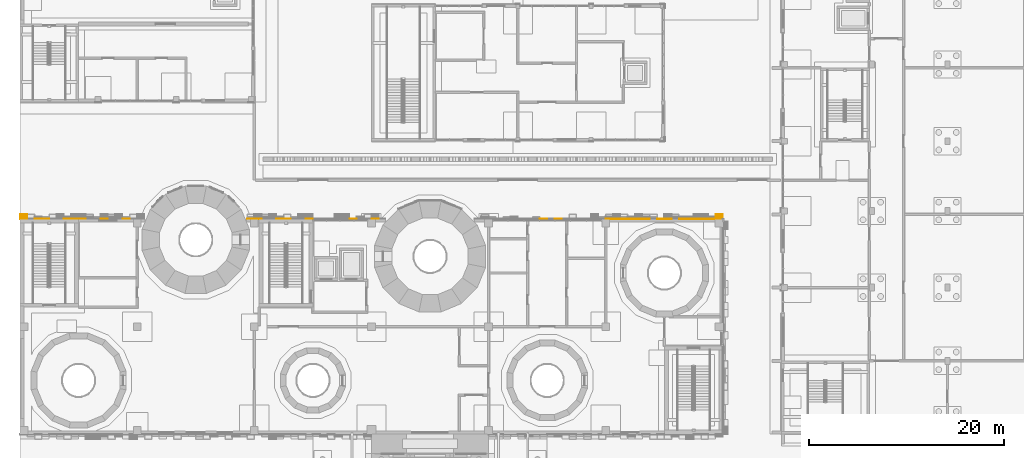
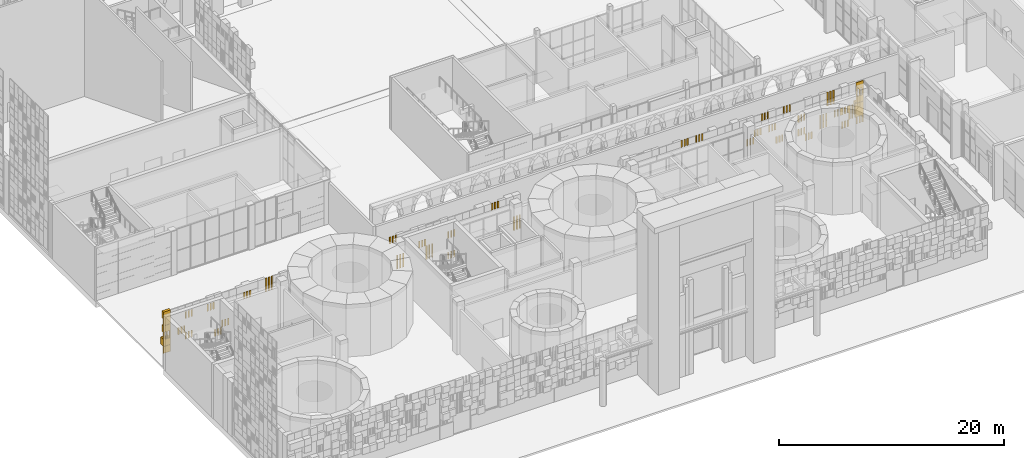
# One storey, part 83 of 125: 1 covering.
"""IFC4 building model written with IfcOpenShell, lengths in metres."""

from ifc_helpers import new_model, si_unit, direction, frame, origin, origin_2d, place, context, subcontext, project, spatial, rectangle, extrude, material, layer, layer_set, type_object, element, save


model = new_model("IFC4")

# Units and contexts
model_context = context("Model", 3, precision=1e-05, world=origin(), true_north=direction((0.0, 1.0)))
body_context = subcontext(model_context, "Body", "Model", "MODEL_VIEW")
ifc_project = project(units=[si_unit("LENGTHUNIT", "METRE"), si_unit("AREAUNIT", "SQUARE_METRE"), si_unit("VOLUMEUNIT", "CUBIC_METRE"), si_unit("PLANEANGLEUNIT", "RADIAN"), si_unit("MASSUNIT", "GRAM", prefix="KILO")], contexts=[model_context])

# Site, building, storey
site_placement = place(None, origin())
site = spatial("IfcSite", under=ifc_project, at=site_placement, CompositionType="ELEMENT")
building_placement = place(site_placement, origin())
building = spatial("IfcBuilding", under=site, at=building_placement, Name="Sun Court Science Centre", CompositionType="ELEMENT")
storey_placement = place(building_placement, origin())
storey = spatial("IfcBuildingStorey", under=building, at=storey_placement, Name="L00", CompositionType="ELEMENT", Elevation=0.0)

# Covering
ifc_material = material(Name="Terracotta jali", Category="masonry")
ifc_layer = layer(ifc_material, 0.06005859375)
ifc_layer_set = layer_set([ifc_layer], Name="Terracotta jali")
covering_type = type_object("IfcCoveringType", Name="Terracotta open jali panel", PredefinedType="CLADDING", material=ifc_layer_set)
covering_placement = place(storey_placement, origin())
element("IfcCovering", 1, at=covering_placement, inside=storey, type_object=covering_type, Name="Open jali pixel cladding north face L00", PredefinedType="CLADDING", context=body_context, shape_type="SweptSolid", body=[
    extrude(rectangle(XDim=0.139892578125, YDim=0.06005859375, at=origin_2d()), frame((5.324951171875, 28.030029296875, 1.5048828125), z_axis=(0.0, 0.0, 1.0), x_axis=(1.0, 0.0, 0.0)), (0.0, 0.0, 1.0), 0.739990234375),
    extrude(rectangle(XDim=0.139892578125, YDim=0.06005859375, at=origin_2d()), frame((5.625, 28.030029296875, 1.5048828125), z_axis=(0.0, 0.0, 1.0), x_axis=(1.0, 0.0, 0.0)), (0.0, 0.0, 1.0), 0.739990234375),
    extrude(rectangle(XDim=0.139892578125, YDim=0.06005859375, at=origin_2d()), frame((5.925048828125, 28.030029296875, 1.5048828125), z_axis=(0.0, 0.0, 1.0), x_axis=(1.0, 0.0, 0.0)), (0.0, 0.0, 1.0), 0.739990234375),
    extrude(rectangle(XDim=0.139892578125, YDim=0.06005859375, at=origin_2d()), frame((29.324951171875, 28.030029296875, 1.5048828125), z_axis=(0.0, 0.0, 1.0), x_axis=(1.0, 0.0, 0.0)), (0.0, 0.0, 1.0), 0.739990234375),
    extrude(rectangle(XDim=0.139892578125, YDim=0.06005859375, at=origin_2d()), frame((29.625, 28.030029296875, 1.5048828125), z_axis=(0.0, 0.0, 1.0), x_axis=(1.0, 0.0, 0.0)), (0.0, 0.0, 1.0), 0.739990234375),
    extrude(rectangle(XDim=0.139892578125, YDim=0.06005859375, at=origin_2d()), frame((29.925048828125, 28.030029296875, 1.5048828125), z_axis=(0.0, 0.0, 1.0), x_axis=(1.0, 0.0, 0.0)), (0.0, 0.0, 1.0), 0.739990234375),
    extrude(rectangle(XDim=0.139892578125, YDim=0.06005859375, at=origin_2d()), frame((66.074951171875, 28.030029296875, 1.5048828125), z_axis=(0.0, 0.0, 1.0), x_axis=(1.0, 0.0, 0.0)), (0.0, 0.0, 1.0), 0.739990234375),
    extrude(rectangle(XDim=0.139892578125, YDim=0.06005859375, at=origin_2d()), frame((66.375, 28.030029296875, 1.5048828125), z_axis=(0.0, 0.0, 1.0), x_axis=(1.0, 0.0, 0.0)), (0.0, 0.0, 1.0), 0.739990234375),
    extrude(rectangle(XDim=0.139892578125, YDim=0.06005859375, at=origin_2d()), frame((66.675048828125, 28.030029296875, 1.5048828125), z_axis=(0.0, 0.0, 1.0), x_axis=(1.0, 0.0, 0.0)), (0.0, 0.0, 1.0), 0.739990234375),
    extrude(rectangle(XDim=0.139892578125, YDim=0.06005859375, at=origin_2d()), frame((69.824951171875, 28.030029296875, 1.5048828125), z_axis=(0.0, 0.0, 1.0), x_axis=(1.0, 0.0, 0.0)), (0.0, 0.0, 1.0), 0.739990234375),
    extrude(rectangle(XDim=0.139892578125, YDim=0.06005859375, at=origin_2d()), frame((70.125, 28.030029296875, 1.5048828125), z_axis=(0.0, 0.0, 1.0), x_axis=(1.0, 0.0, 0.0)), (0.0, 0.0, 1.0), 0.739990234375),
    extrude(rectangle(XDim=0.139892578125, YDim=0.06005859375, at=origin_2d()), frame((70.425048828125, 28.030029296875, 1.5048828125), z_axis=(0.0, 0.0, 1.0), x_axis=(1.0, 0.0, 0.0)), (0.0, 0.0, 1.0), 0.739990234375),
    extrude(rectangle(XDim=0.139892578125, YDim=0.06005859375, at=origin_2d()), frame((71.324951171875, 28.030029296875, 1.5048828125), z_axis=(0.0, 0.0, 1.0), x_axis=(1.0, 0.0, 0.0)), (0.0, 0.0, 1.0), 0.739990234375),
    extrude(rectangle(XDim=0.139892578125, YDim=0.06005859375, at=origin_2d()), frame((71.625, 28.030029296875, 1.5048828125), z_axis=(0.0, 0.0, 1.0), x_axis=(1.0, 0.0, 0.0)), (0.0, 0.0, 1.0), 0.739990234375),
    extrude(rectangle(XDim=0.139892578125, YDim=0.06005859375, at=origin_2d()), frame((71.925048828125, 28.030029296875, 1.5048828125), z_axis=(0.0, 0.0, 1.0), x_axis=(1.0, 0.0, 0.0)), (0.0, 0.0, 1.0), 0.739990234375),
    extrude(rectangle(XDim=0.139892578125, YDim=0.06005859375, at=origin_2d()), frame((2.324951171875, 28.030029296875, 2.2548828125), z_axis=(0.0, 0.0, 1.0), x_axis=(1.0, 0.0, 0.0)), (0.0, 0.0, 1.0), 0.739990234375),
    extrude(rectangle(XDim=0.139892578125, YDim=0.06005859375, at=origin_2d()), frame((2.625, 28.030029296875, 2.2548828125), z_axis=(0.0, 0.0, 1.0), x_axis=(1.0, 0.0, 0.0)), (0.0, 0.0, 1.0), 0.739990234375),
    extrude(rectangle(XDim=0.139892578125, YDim=0.06005859375, at=origin_2d()), frame((2.925048828125, 28.030029296875, 2.2548828125), z_axis=(0.0, 0.0, 1.0), x_axis=(1.0, 0.0, 0.0)), (0.0, 0.0, 1.0), 0.739990234375),
    extrude(rectangle(XDim=0.139892578125, YDim=0.06005859375, at=origin_2d()), frame((6.074951171875, 28.030029296875, 2.2548828125), z_axis=(0.0, 0.0, 1.0), x_axis=(1.0, 0.0, 0.0)), (0.0, 0.0, 1.0), 0.739990234375),
    extrude(rectangle(XDim=0.139892578125, YDim=0.06005859375, at=origin_2d()), frame((6.375, 28.030029296875, 2.2548828125), z_axis=(0.0, 0.0, 1.0), x_axis=(1.0, 0.0, 0.0)), (0.0, 0.0, 1.0), 0.739990234375),
    extrude(rectangle(XDim=0.139892578125, YDim=0.06005859375, at=origin_2d()), frame((6.675048828125, 28.030029296875, 2.2548828125), z_axis=(0.0, 0.0, 1.0), x_axis=(1.0, 0.0, 0.0)), (0.0, 0.0, 1.0), 0.739990234375),
    extrude(rectangle(XDim=0.139892578125, YDim=0.06005859375, at=origin_2d()), frame((24.074951171875, 28.030029296875, 2.2548828125), z_axis=(0.0, 0.0, 1.0), x_axis=(1.0, 0.0, 0.0)), (0.0, 0.0, 1.0), 0.739990234375),
    extrude(rectangle(XDim=0.139892578125, YDim=0.06005859375, at=origin_2d()), frame((24.375, 28.030029296875, 2.2548828125), z_axis=(0.0, 0.0, 1.0), x_axis=(1.0, 0.0, 0.0)), (0.0, 0.0, 1.0), 0.739990234375),
    extrude(rectangle(XDim=0.139892578125, YDim=0.06005859375, at=origin_2d()), frame((24.675048828125, 28.030029296875, 2.2548828125), z_axis=(0.0, 0.0, 1.0), x_axis=(1.0, 0.0, 0.0)), (0.0, 0.0, 1.0), 0.739990234375),
    extrude(rectangle(XDim=0.139892578125, YDim=0.06005859375, at=origin_2d()), frame((27.074951171875, 28.030029296875, 2.2548828125), z_axis=(0.0, 0.0, 1.0), x_axis=(1.0, 0.0, 0.0)), (0.0, 0.0, 1.0), 0.739990234375),
    extrude(rectangle(XDim=0.139892578125, YDim=0.06005859375, at=origin_2d()), frame((27.375, 28.030029296875, 2.2548828125), z_axis=(0.0, 0.0, 1.0), x_axis=(1.0, 0.0, 0.0)), (0.0, 0.0, 1.0), 0.739990234375),
    extrude(rectangle(XDim=0.139892578125, YDim=0.06005859375, at=origin_2d()), frame((27.675048828125, 28.030029296875, 2.2548828125), z_axis=(0.0, 0.0, 1.0), x_axis=(1.0, 0.0, 0.0)), (0.0, 0.0, 1.0), 0.739990234375),
    extrude(rectangle(XDim=0.139892578125, YDim=0.06005859375, at=origin_2d()), frame((36.074951171875, 28.030029296875, 2.2548828125), z_axis=(0.0, 0.0, 1.0), x_axis=(1.0, 0.0, 0.0)), (0.0, 0.0, 1.0), 0.739990234375),
    extrude(rectangle(XDim=0.139892578125, YDim=0.06005859375, at=origin_2d()), frame((36.375, 28.030029296875, 2.2548828125), z_axis=(0.0, 0.0, 1.0), x_axis=(1.0, 0.0, 0.0)), (0.0, 0.0, 1.0), 0.739990234375),
    extrude(rectangle(XDim=0.139892578125, YDim=0.06005859375, at=origin_2d()), frame((36.675048828125, 28.030029296875, 2.2548828125), z_axis=(0.0, 0.0, 1.0), x_axis=(1.0, 0.0, 0.0)), (0.0, 0.0, 1.0), 0.739990234375),
    extrude(rectangle(XDim=0.139892578125, YDim=0.06005859375, at=origin_2d()), frame((63.074951171875, 28.030029296875, 2.2548828125), z_axis=(0.0, 0.0, 1.0), x_axis=(1.0, 0.0, 0.0)), (0.0, 0.0, 1.0), 0.739990234375),
    extrude(rectangle(XDim=0.139892578125, YDim=0.06005859375, at=origin_2d()), frame((63.375, 28.030029296875, 2.2548828125), z_axis=(0.0, 0.0, 1.0), x_axis=(1.0, 0.0, 0.0)), (0.0, 0.0, 1.0), 0.739990234375),
    extrude(rectangle(XDim=0.139892578125, YDim=0.06005859375, at=origin_2d()), frame((63.675048828125, 28.030029296875, 2.2548828125), z_axis=(0.0, 0.0, 1.0), x_axis=(1.0, 0.0, 0.0)), (0.0, 0.0, 1.0), 0.739990234375),
    extrude(rectangle(XDim=0.139892578125, YDim=0.06005859375, at=origin_2d()), frame((65.324951171875, 28.030029296875, 2.2548828125), z_axis=(0.0, 0.0, 1.0), x_axis=(1.0, 0.0, 0.0)), (0.0, 0.0, 1.0), 0.739990234375),
    extrude(rectangle(XDim=0.139892578125, YDim=0.06005859375, at=origin_2d()), frame((65.625, 28.030029296875, 2.2548828125), z_axis=(0.0, 0.0, 1.0), x_axis=(1.0, 0.0, 0.0)), (0.0, 0.0, 1.0), 0.739990234375),
    extrude(rectangle(XDim=0.139892578125, YDim=0.06005859375, at=origin_2d()), frame((65.925048828125, 28.030029296875, 2.2548828125), z_axis=(0.0, 0.0, 1.0), x_axis=(1.0, 0.0, 0.0)), (0.0, 0.0, 1.0), 0.739990234375),
    extrude(rectangle(XDim=0.139892578125, YDim=0.06005859375, at=origin_2d()), frame((67.574951171875, 28.030029296875, 2.2548828125), z_axis=(0.0, 0.0, 1.0), x_axis=(1.0, 0.0, 0.0)), (0.0, 0.0, 1.0), 0.739990234375),
    extrude(rectangle(XDim=0.139892578125, YDim=0.06005859375, at=origin_2d()), frame((67.875, 28.030029296875, 2.2548828125), z_axis=(0.0, 0.0, 1.0), x_axis=(1.0, 0.0, 0.0)), (0.0, 0.0, 1.0), 0.739990234375),
    extrude(rectangle(XDim=0.139892578125, YDim=0.06005859375, at=origin_2d()), frame((68.175048828125, 28.030029296875, 2.2548828125), z_axis=(0.0, 0.0, 1.0), x_axis=(1.0, 0.0, 0.0)), (0.0, 0.0, 1.0), 0.739990234375),
    extrude(rectangle(XDim=0.139892578125, YDim=0.06005859375, at=origin_2d()), frame((70.574951171875, 28.030029296875, 2.2548828125), z_axis=(0.0, 0.0, 1.0), x_axis=(1.0, 0.0, 0.0)), (0.0, 0.0, 1.0), 0.739990234375),
    extrude(rectangle(XDim=0.139892578125, YDim=0.06005859375, at=origin_2d()), frame((70.875, 28.030029296875, 2.2548828125), z_axis=(0.0, 0.0, 1.0), x_axis=(1.0, 0.0, 0.0)), (0.0, 0.0, 1.0), 0.739990234375),
    extrude(rectangle(XDim=0.139892578125, YDim=0.06005859375, at=origin_2d()), frame((71.175048828125, 28.030029296875, 2.2548828125), z_axis=(0.0, 0.0, 1.0), x_axis=(1.0, 0.0, 0.0)), (0.0, 0.0, 1.0), 0.739990234375),
    extrude(rectangle(XDim=0.139892578125, YDim=0.06005859375, at=origin_2d()), frame((0.074951171875, 28.030029296875, 3.0048828125), z_axis=(0.0, 0.0, 1.0), x_axis=(1.0, 0.0, 0.0)), (0.0, 0.0, 1.0), 0.739990234375),
    extrude(rectangle(XDim=0.139892578125, YDim=0.06005859375, at=origin_2d()), frame((0.375, 28.030029296875, 3.0048828125), z_axis=(0.0, 0.0, 1.0), x_axis=(1.0, 0.0, 0.0)), (0.0, 0.0, 1.0), 0.739990234375),
    extrude(rectangle(XDim=0.139892578125, YDim=0.06005859375, at=origin_2d()), frame((0.675048828125, 28.030029296875, 3.0048828125), z_axis=(0.0, 0.0, 1.0), x_axis=(1.0, 0.0, 0.0)), (0.0, 0.0, 1.0), 0.739990234375),
    extrude(rectangle(XDim=0.139892578125, YDim=0.06005859375, at=origin_2d()), frame((1.574951171875, 28.030029296875, 3.0048828125), z_axis=(0.0, 0.0, 1.0), x_axis=(1.0, 0.0, 0.0)), (0.0, 0.0, 1.0), 0.739990234375),
    extrude(rectangle(XDim=0.139892578125, YDim=0.06005859375, at=origin_2d()), frame((1.875, 28.030029296875, 3.0048828125), z_axis=(0.0, 0.0, 1.0), x_axis=(1.0, 0.0, 0.0)), (0.0, 0.0, 1.0), 0.739990234375),
    extrude(rectangle(XDim=0.139892578125, YDim=0.06005859375, at=origin_2d()), frame((2.175048828125, 28.030029296875, 3.0048828125), z_axis=(0.0, 0.0, 1.0), x_axis=(1.0, 0.0, 0.0)), (0.0, 0.0, 1.0), 0.739990234375),
    extrude(rectangle(XDim=0.139892578125, YDim=0.06005859375, at=origin_2d()), frame((24.074951171875, 28.030029296875, 3.0048828125), z_axis=(0.0, 0.0, 1.0), x_axis=(1.0, 0.0, 0.0)), (0.0, 0.0, 1.0), 0.739990234375),
    extrude(rectangle(XDim=0.139892578125, YDim=0.06005859375, at=origin_2d()), frame((24.375, 28.030029296875, 3.0048828125), z_axis=(0.0, 0.0, 1.0), x_axis=(1.0, 0.0, 0.0)), (0.0, 0.0, 1.0), 0.739990234375),
    extrude(rectangle(XDim=0.139892578125, YDim=0.06005859375, at=origin_2d()), frame((24.675048828125, 28.030029296875, 3.0048828125), z_axis=(0.0, 0.0, 1.0), x_axis=(1.0, 0.0, 0.0)), (0.0, 0.0, 1.0), 0.739990234375),
    extrude(rectangle(XDim=0.139892578125, YDim=0.06005859375, at=origin_2d()), frame((27.074951171875, 28.030029296875, 3.0048828125), z_axis=(0.0, 0.0, 1.0), x_axis=(1.0, 0.0, 0.0)), (0.0, 0.0, 1.0), 0.739990234375),
    extrude(rectangle(XDim=0.139892578125, YDim=0.06005859375, at=origin_2d()), frame((27.375, 28.030029296875, 3.0048828125), z_axis=(0.0, 0.0, 1.0), x_axis=(1.0, 0.0, 0.0)), (0.0, 0.0, 1.0), 0.739990234375),
    extrude(rectangle(XDim=0.139892578125, YDim=0.06005859375, at=origin_2d()), frame((27.675048828125, 28.030029296875, 3.0048828125), z_axis=(0.0, 0.0, 1.0), x_axis=(1.0, 0.0, 0.0)), (0.0, 0.0, 1.0), 0.739990234375),
    extrude(rectangle(XDim=0.139892578125, YDim=0.06005859375, at=origin_2d()), frame((36.074951171875, 28.030029296875, 3.0048828125), z_axis=(0.0, 0.0, 1.0), x_axis=(1.0, 0.0, 0.0)), (0.0, 0.0, 1.0), 0.739990234375),
    extrude(rectangle(XDim=0.139892578125, YDim=0.06005859375, at=origin_2d()), frame((36.375, 28.030029296875, 3.0048828125), z_axis=(0.0, 0.0, 1.0), x_axis=(1.0, 0.0, 0.0)), (0.0, 0.0, 1.0), 0.739990234375),
    extrude(rectangle(XDim=0.139892578125, YDim=0.06005859375, at=origin_2d()), frame((36.675048828125, 28.030029296875, 3.0048828125), z_axis=(0.0, 0.0, 1.0), x_axis=(1.0, 0.0, 0.0)), (0.0, 0.0, 1.0), 0.739990234375),
    extrude(rectangle(XDim=0.139892578125, YDim=0.06005859375, at=origin_2d()), frame((60.074951171875, 28.030029296875, 3.0048828125), z_axis=(0.0, 0.0, 1.0), x_axis=(1.0, 0.0, 0.0)), (0.0, 0.0, 1.0), 0.739990234375),
    extrude(rectangle(XDim=0.139892578125, YDim=0.06005859375, at=origin_2d()), frame((60.375, 28.030029296875, 3.0048828125), z_axis=(0.0, 0.0, 1.0), x_axis=(1.0, 0.0, 0.0)), (0.0, 0.0, 1.0), 0.739990234375),
    extrude(rectangle(XDim=0.139892578125, YDim=0.06005859375, at=origin_2d()), frame((60.675048828125, 28.030029296875, 3.0048828125), z_axis=(0.0, 0.0, 1.0), x_axis=(1.0, 0.0, 0.0)), (0.0, 0.0, 1.0), 0.739990234375),
    extrude(rectangle(XDim=0.139892578125, YDim=0.06005859375, at=origin_2d()), frame((67.574951171875, 28.030029296875, 3.0048828125), z_axis=(0.0, 0.0, 1.0), x_axis=(1.0, 0.0, 0.0)), (0.0, 0.0, 1.0), 0.739990234375),
    extrude(rectangle(XDim=0.139892578125, YDim=0.06005859375, at=origin_2d()), frame((67.875, 28.030029296875, 3.0048828125), z_axis=(0.0, 0.0, 1.0), x_axis=(1.0, 0.0, 0.0)), (0.0, 0.0, 1.0), 0.739990234375),
    extrude(rectangle(XDim=0.139892578125, YDim=0.06005859375, at=origin_2d()), frame((68.175048828125, 28.030029296875, 3.0048828125), z_axis=(0.0, 0.0, 1.0), x_axis=(1.0, 0.0, 0.0)), (0.0, 0.0, 1.0), 0.739990234375),
    extrude(rectangle(XDim=0.139892578125, YDim=0.06005859375, at=origin_2d()), frame((69.074951171875, 28.030029296875, 3.0048828125), z_axis=(0.0, 0.0, 1.0), x_axis=(1.0, 0.0, 0.0)), (0.0, 0.0, 1.0), 0.739990234375),
    extrude(rectangle(XDim=0.139892578125, YDim=0.06005859375, at=origin_2d()), frame((69.375, 28.030029296875, 3.0048828125), z_axis=(0.0, 0.0, 1.0), x_axis=(1.0, 0.0, 0.0)), (0.0, 0.0, 1.0), 0.739990234375),
    extrude(rectangle(XDim=0.139892578125, YDim=0.06005859375, at=origin_2d()), frame((69.675048828125, 28.030029296875, 3.0048828125), z_axis=(0.0, 0.0, 1.0), x_axis=(1.0, 0.0, 0.0)), (0.0, 0.0, 1.0), 0.739990234375),
    extrude(rectangle(XDim=0.139892578125, YDim=0.06005859375, at=origin_2d()), frame((69.824951171875, 28.030029296875, 3.0048828125), z_axis=(0.0, 0.0, 1.0), x_axis=(1.0, 0.0, 0.0)), (0.0, 0.0, 1.0), 0.739990234375),
    extrude(rectangle(XDim=0.139892578125, YDim=0.06005859375, at=origin_2d()), frame((70.125, 28.030029296875, 3.0048828125), z_axis=(0.0, 0.0, 1.0), x_axis=(1.0, 0.0, 0.0)), (0.0, 0.0, 1.0), 0.739990234375),
    extrude(rectangle(XDim=0.139892578125, YDim=0.06005859375, at=origin_2d()), frame((70.425048828125, 28.030029296875, 3.0048828125), z_axis=(0.0, 0.0, 1.0), x_axis=(1.0, 0.0, 0.0)), (0.0, 0.0, 1.0), 0.739990234375),
    extrude(rectangle(XDim=0.139892578125, YDim=0.06005859375, at=origin_2d()), frame((70.574951171875, 28.030029296875, 3.0048828125), z_axis=(0.0, 0.0, 1.0), x_axis=(1.0, 0.0, 0.0)), (0.0, 0.0, 1.0), 0.739990234375),
    extrude(rectangle(XDim=0.139892578125, YDim=0.06005859375, at=origin_2d()), frame((70.875, 28.030029296875, 3.0048828125), z_axis=(0.0, 0.0, 1.0), x_axis=(1.0, 0.0, 0.0)), (0.0, 0.0, 1.0), 0.739990234375),
    extrude(rectangle(XDim=0.139892578125, YDim=0.06005859375, at=origin_2d()), frame((71.175048828125, 28.030029296875, 3.0048828125), z_axis=(0.0, 0.0, 1.0), x_axis=(1.0, 0.0, 0.0)), (0.0, 0.0, 1.0), 0.739990234375),
    extrude(rectangle(XDim=0.139892578125, YDim=0.06005859375, at=origin_2d()), frame((26.324951171875, 28.030029296875, 3.7548828125), z_axis=(0.0, 0.0, 1.0), x_axis=(1.0, 0.0, 0.0)), (0.0, 0.0, 1.0), 0.739990234375),
    extrude(rectangle(XDim=0.139892578125, YDim=0.06005859375, at=origin_2d()), frame((26.625, 28.030029296875, 3.7548828125), z_axis=(0.0, 0.0, 1.0), x_axis=(1.0, 0.0, 0.0)), (0.0, 0.0, 1.0), 0.739990234375),
    extrude(rectangle(XDim=0.139892578125, YDim=0.06005859375, at=origin_2d()), frame((26.925048828125, 28.030029296875, 3.7548828125), z_axis=(0.0, 0.0, 1.0), x_axis=(1.0, 0.0, 0.0)), (0.0, 0.0, 1.0), 0.739990234375),
    extrude(rectangle(XDim=0.139892578125, YDim=0.06005859375, at=origin_2d()), frame((29.324951171875, 28.030029296875, 3.7548828125), z_axis=(0.0, 0.0, 1.0), x_axis=(1.0, 0.0, 0.0)), (0.0, 0.0, 1.0), 0.739990234375),
    extrude(rectangle(XDim=0.139892578125, YDim=0.06005859375, at=origin_2d()), frame((29.625, 28.030029296875, 3.7548828125), z_axis=(0.0, 0.0, 1.0), x_axis=(1.0, 0.0, 0.0)), (0.0, 0.0, 1.0), 0.739990234375),
    extrude(rectangle(XDim=0.139892578125, YDim=0.06005859375, at=origin_2d()), frame((29.925048828125, 28.030029296875, 3.7548828125), z_axis=(0.0, 0.0, 1.0), x_axis=(1.0, 0.0, 0.0)), (0.0, 0.0, 1.0), 0.739990234375),
    extrude(rectangle(XDim=0.139892578125, YDim=0.06005859375, at=origin_2d()), frame((60.824951171875, 28.030029296875, 3.7548828125), z_axis=(0.0, 0.0, 1.0), x_axis=(1.0, 0.0, 0.0)), (0.0, 0.0, 1.0), 0.739990234375),
    extrude(rectangle(XDim=0.139892578125, YDim=0.06005859375, at=origin_2d()), frame((61.125, 28.030029296875, 3.7548828125), z_axis=(0.0, 0.0, 1.0), x_axis=(1.0, 0.0, 0.0)), (0.0, 0.0, 1.0), 0.739990234375),
    extrude(rectangle(XDim=0.139892578125, YDim=0.06005859375, at=origin_2d()), frame((61.425048828125, 28.030029296875, 3.7548828125), z_axis=(0.0, 0.0, 1.0), x_axis=(1.0, 0.0, 0.0)), (0.0, 0.0, 1.0), 0.739990234375),
    extrude(rectangle(XDim=0.139892578125, YDim=0.06005859375, at=origin_2d()), frame((62.324951171875, 28.030029296875, 3.7548828125), z_axis=(0.0, 0.0, 1.0), x_axis=(1.0, 0.0, 0.0)), (0.0, 0.0, 1.0), 0.739990234375),
    extrude(rectangle(XDim=0.139892578125, YDim=0.06005859375, at=origin_2d()), frame((62.625, 28.030029296875, 3.7548828125), z_axis=(0.0, 0.0, 1.0), x_axis=(1.0, 0.0, 0.0)), (0.0, 0.0, 1.0), 0.739990234375),
    extrude(rectangle(XDim=0.139892578125, YDim=0.06005859375, at=origin_2d()), frame((62.925048828125, 28.030029296875, 3.7548828125), z_axis=(0.0, 0.0, 1.0), x_axis=(1.0, 0.0, 0.0)), (0.0, 0.0, 1.0), 0.739990234375),
    extrude(rectangle(XDim=0.139892578125, YDim=0.06005859375, at=origin_2d()), frame((65.324951171875, 28.030029296875, 3.7548828125), z_axis=(0.0, 0.0, 1.0), x_axis=(1.0, 0.0, 0.0)), (0.0, 0.0, 1.0), 0.739990234375),
    extrude(rectangle(XDim=0.139892578125, YDim=0.06005859375, at=origin_2d()), frame((65.625, 28.030029296875, 3.7548828125), z_axis=(0.0, 0.0, 1.0), x_axis=(1.0, 0.0, 0.0)), (0.0, 0.0, 1.0), 0.739990234375),
    extrude(rectangle(XDim=0.139892578125, YDim=0.06005859375, at=origin_2d()), frame((65.925048828125, 28.030029296875, 3.7548828125), z_axis=(0.0, 0.0, 1.0), x_axis=(1.0, 0.0, 0.0)), (0.0, 0.0, 1.0), 0.739990234375),
    extrude(rectangle(XDim=0.139892578125, YDim=0.06005859375, at=origin_2d()), frame((2.324951171875, 28.030029296875, 4.5048828125), z_axis=(0.0, 0.0, 1.0), x_axis=(1.0, 0.0, 0.0)), (0.0, 0.0, 1.0), 0.739990234375),
    extrude(rectangle(XDim=0.139892578125, YDim=0.06005859375, at=origin_2d()), frame((2.625, 28.030029296875, 4.5048828125), z_axis=(0.0, 0.0, 1.0), x_axis=(1.0, 0.0, 0.0)), (0.0, 0.0, 1.0), 0.739990234375),
    extrude(rectangle(XDim=0.139892578125, YDim=0.06005859375, at=origin_2d()), frame((2.925048828125, 28.030029296875, 4.5048828125), z_axis=(0.0, 0.0, 1.0), x_axis=(1.0, 0.0, 0.0)), (0.0, 0.0, 1.0), 0.739990234375),
    extrude(rectangle(XDim=0.139892578125, YDim=0.06005859375, at=origin_2d()), frame((4.574951171875, 28.030029296875, 4.5048828125), z_axis=(0.0, 0.0, 1.0), x_axis=(1.0, 0.0, 0.0)), (0.0, 0.0, 1.0), 0.739990234375),
    extrude(rectangle(XDim=0.139892578125, YDim=0.06005859375, at=origin_2d()), frame((4.875, 28.030029296875, 4.5048828125), z_axis=(0.0, 0.0, 1.0), x_axis=(1.0, 0.0, 0.0)), (0.0, 0.0, 1.0), 0.739990234375),
    extrude(rectangle(XDim=0.139892578125, YDim=0.06005859375, at=origin_2d()), frame((5.175048828125, 28.030029296875, 4.5048828125), z_axis=(0.0, 0.0, 1.0), x_axis=(1.0, 0.0, 0.0)), (0.0, 0.0, 1.0), 0.739990234375),
    extrude(rectangle(XDim=0.139892578125, YDim=0.06005859375, at=origin_2d()), frame((8.324951171875, 28.030029296875, 4.5048828125), z_axis=(0.0, 0.0, 1.0), x_axis=(1.0, 0.0, 0.0)), (0.0, 0.0, 1.0), 0.739990234375),
    extrude(rectangle(XDim=0.139892578125, YDim=0.06005859375, at=origin_2d()), frame((8.625, 28.030029296875, 4.5048828125), z_axis=(0.0, 0.0, 1.0), x_axis=(1.0, 0.0, 0.0)), (0.0, 0.0, 1.0), 0.739990234375),
    extrude(rectangle(XDim=0.139892578125, YDim=0.06005859375, at=origin_2d()), frame((8.925048828125, 28.030029296875, 4.5048828125), z_axis=(0.0, 0.0, 1.0), x_axis=(1.0, 0.0, 0.0)), (0.0, 0.0, 1.0), 0.739990234375),
    extrude(rectangle(XDim=0.139892578125, YDim=0.06005859375, at=origin_2d()), frame((10.574951171875, 28.030029296875, 4.5048828125), z_axis=(0.0, 0.0, 1.0), x_axis=(1.0, 0.0, 0.0)), (0.0, 0.0, 1.0), 0.739990234375),
    extrude(rectangle(XDim=0.139892578125, YDim=0.06005859375, at=origin_2d()), frame((10.875, 28.030029296875, 4.5048828125), z_axis=(0.0, 0.0, 1.0), x_axis=(1.0, 0.0, 0.0)), (0.0, 0.0, 1.0), 0.739990234375),
    extrude(rectangle(XDim=0.139892578125, YDim=0.06005859375, at=origin_2d()), frame((11.175048828125, 28.030029296875, 4.5048828125), z_axis=(0.0, 0.0, 1.0), x_axis=(1.0, 0.0, 0.0)), (0.0, 0.0, 1.0), 0.739990234375),
    extrude(rectangle(XDim=0.139892578125, YDim=0.06005859375, at=origin_2d()), frame((68.324951171875, 28.030029296875, 4.5048828125), z_axis=(0.0, 0.0, 1.0), x_axis=(1.0, 0.0, 0.0)), (0.0, 0.0, 1.0), 0.739990234375),
    extrude(rectangle(XDim=0.139892578125, YDim=0.06005859375, at=origin_2d()), frame((68.625, 28.030029296875, 4.5048828125), z_axis=(0.0, 0.0, 1.0), x_axis=(1.0, 0.0, 0.0)), (0.0, 0.0, 1.0), 0.739990234375),
    extrude(rectangle(XDim=0.139892578125, YDim=0.06005859375, at=origin_2d()), frame((68.925048828125, 28.030029296875, 4.5048828125), z_axis=(0.0, 0.0, 1.0), x_axis=(1.0, 0.0, 0.0)), (0.0, 0.0, 1.0), 0.739990234375),
    extrude(rectangle(XDim=0.139892578125, YDim=0.06005859375, at=origin_2d()), frame((71.324951171875, 28.030029296875, 4.5048828125), z_axis=(0.0, 0.0, 1.0), x_axis=(1.0, 0.0, 0.0)), (0.0, 0.0, 1.0), 0.739990234375),
    extrude(rectangle(XDim=0.139892578125, YDim=0.06005859375, at=origin_2d()), frame((71.625, 28.030029296875, 4.5048828125), z_axis=(0.0, 0.0, 1.0), x_axis=(1.0, 0.0, 0.0)), (0.0, 0.0, 1.0), 0.739990234375),
    extrude(rectangle(XDim=0.139892578125, YDim=0.06005859375, at=origin_2d()), frame((71.925048828125, 28.030029296875, 4.5048828125), z_axis=(0.0, 0.0, 1.0), x_axis=(1.0, 0.0, 0.0)), (0.0, 0.0, 1.0), 0.739990234375),
    extrude(rectangle(XDim=0.139892578125, YDim=0.06005859375, at=origin_2d()), frame((10.574951171875, 28.030029296875, 5.2548828125), z_axis=(0.0, 0.0, 1.0), x_axis=(1.0, 0.0, 0.0)), (0.0, 0.0, 1.0), 0.739990234375),
    extrude(rectangle(XDim=0.139892578125, YDim=0.06005859375, at=origin_2d()), frame((10.875, 28.030029296875, 5.2548828125), z_axis=(0.0, 0.0, 1.0), x_axis=(1.0, 0.0, 0.0)), (0.0, 0.0, 1.0), 0.739990234375),
    extrude(rectangle(XDim=0.139892578125, YDim=0.06005859375, at=origin_2d()), frame((11.175048828125, 28.030029296875, 5.2548828125), z_axis=(0.0, 0.0, 1.0), x_axis=(1.0, 0.0, 0.0)), (0.0, 0.0, 1.0), 0.739990234375),
    extrude(rectangle(XDim=0.139892578125, YDim=0.06005859375, at=origin_2d()), frame((23.324951171875, 28.030029296875, 5.2548828125), z_axis=(0.0, 0.0, 1.0), x_axis=(1.0, 0.0, 0.0)), (0.0, 0.0, 1.0), 0.739990234375),
    extrude(rectangle(XDim=0.139892578125, YDim=0.06005859375, at=origin_2d()), frame((23.625, 28.030029296875, 5.2548828125), z_axis=(0.0, 0.0, 1.0), x_axis=(1.0, 0.0, 0.0)), (0.0, 0.0, 1.0), 0.739990234375),
    extrude(rectangle(XDim=0.139892578125, YDim=0.06005859375, at=origin_2d()), frame((23.925048828125, 28.030029296875, 5.2548828125), z_axis=(0.0, 0.0, 1.0), x_axis=(1.0, 0.0, 0.0)), (0.0, 0.0, 1.0), 0.739990234375),
    extrude(rectangle(XDim=0.139892578125, YDim=0.06005859375, at=origin_2d()), frame((33.824951171875, 28.030029296875, 5.2548828125), z_axis=(0.0, 0.0, 1.0), x_axis=(1.0, 0.0, 0.0)), (0.0, 0.0, 1.0), 0.739990234375),
    extrude(rectangle(XDim=0.139892578125, YDim=0.06005859375, at=origin_2d()), frame((34.125, 28.030029296875, 5.2548828125), z_axis=(0.0, 0.0, 1.0), x_axis=(1.0, 0.0, 0.0)), (0.0, 0.0, 1.0), 0.739990234375),
    extrude(rectangle(XDim=0.139892578125, YDim=0.06005859375, at=origin_2d()), frame((34.425048828125, 28.030029296875, 5.2548828125), z_axis=(0.0, 0.0, 1.0), x_axis=(1.0, 0.0, 0.0)), (0.0, 0.0, 1.0), 0.739990234375),
    extrude(rectangle(XDim=0.139892578125, YDim=0.06005859375, at=origin_2d()), frame((53.324951171875, 28.030029296875, 5.2548828125), z_axis=(0.0, 0.0, 1.0), x_axis=(1.0, 0.0, 0.0)), (0.0, 0.0, 1.0), 0.739990234375),
    extrude(rectangle(XDim=0.139892578125, YDim=0.06005859375, at=origin_2d()), frame((53.625, 28.030029296875, 5.2548828125), z_axis=(0.0, 0.0, 1.0), x_axis=(1.0, 0.0, 0.0)), (0.0, 0.0, 1.0), 0.739990234375),
    extrude(rectangle(XDim=0.139892578125, YDim=0.06005859375, at=origin_2d()), frame((53.925048828125, 28.030029296875, 5.2548828125), z_axis=(0.0, 0.0, 1.0), x_axis=(1.0, 0.0, 0.0)), (0.0, 0.0, 1.0), 0.739990234375),
    extrude(rectangle(XDim=0.139892578125, YDim=0.06005859375, at=origin_2d()), frame((54.824951171875, 28.030029296875, 5.2548828125), z_axis=(0.0, 0.0, 1.0), x_axis=(1.0, 0.0, 0.0)), (0.0, 0.0, 1.0), 0.739990234375),
    extrude(rectangle(XDim=0.139892578125, YDim=0.06005859375, at=origin_2d()), frame((55.125, 28.030029296875, 5.2548828125), z_axis=(0.0, 0.0, 1.0), x_axis=(1.0, 0.0, 0.0)), (0.0, 0.0, 1.0), 0.739990234375),
    extrude(rectangle(XDim=0.139892578125, YDim=0.06005859375, at=origin_2d()), frame((55.425048828125, 28.030029296875, 5.2548828125), z_axis=(0.0, 0.0, 1.0), x_axis=(1.0, 0.0, 0.0)), (0.0, 0.0, 1.0), 0.739990234375),
    extrude(rectangle(XDim=0.139892578125, YDim=0.06005859375, at=origin_2d()), frame((61.574951171875, 28.030029296875, 5.2548828125), z_axis=(0.0, 0.0, 1.0), x_axis=(1.0, 0.0, 0.0)), (0.0, 0.0, 1.0), 0.739990234375),
    extrude(rectangle(XDim=0.139892578125, YDim=0.06005859375, at=origin_2d()), frame((61.875, 28.030029296875, 5.2548828125), z_axis=(0.0, 0.0, 1.0), x_axis=(1.0, 0.0, 0.0)), (0.0, 0.0, 1.0), 0.739990234375),
    extrude(rectangle(XDim=0.139892578125, YDim=0.06005859375, at=origin_2d()), frame((62.175048828125, 28.030029296875, 5.2548828125), z_axis=(0.0, 0.0, 1.0), x_axis=(1.0, 0.0, 0.0)), (0.0, 0.0, 1.0), 0.739990234375),
    extrude(rectangle(XDim=0.139892578125, YDim=0.06005859375, at=origin_2d()), frame((63.824951171875, 28.030029296875, 5.2548828125), z_axis=(0.0, 0.0, 1.0), x_axis=(1.0, 0.0, 0.0)), (0.0, 0.0, 1.0), 0.739990234375),
    extrude(rectangle(XDim=0.139892578125, YDim=0.06005859375, at=origin_2d()), frame((64.125, 28.030029296875, 5.2548828125), z_axis=(0.0, 0.0, 1.0), x_axis=(1.0, 0.0, 0.0)), (0.0, 0.0, 1.0), 0.739990234375),
    extrude(rectangle(XDim=0.139892578125, YDim=0.06005859375, at=origin_2d()), frame((64.425048828125, 28.030029296875, 5.2548828125), z_axis=(0.0, 0.0, 1.0), x_axis=(1.0, 0.0, 0.0)), (0.0, 0.0, 1.0), 0.739990234375),
    extrude(rectangle(XDim=0.139892578125, YDim=0.06005859375, at=origin_2d()), frame((68.324951171875, 28.030029296875, 5.2548828125), z_axis=(0.0, 0.0, 1.0), x_axis=(1.0, 0.0, 0.0)), (0.0, 0.0, 1.0), 0.739990234375),
    extrude(rectangle(XDim=0.139892578125, YDim=0.06005859375, at=origin_2d()), frame((68.625, 28.030029296875, 5.2548828125), z_axis=(0.0, 0.0, 1.0), x_axis=(1.0, 0.0, 0.0)), (0.0, 0.0, 1.0), 0.739990234375),
    extrude(rectangle(XDim=0.139892578125, YDim=0.06005859375, at=origin_2d()), frame((68.925048828125, 28.030029296875, 5.2548828125), z_axis=(0.0, 0.0, 1.0), x_axis=(1.0, 0.0, 0.0)), (0.0, 0.0, 1.0), 0.739990234375),
    extrude(rectangle(XDim=0.739990234375, YDim=0.06005859375, at=origin_2d()), frame((0.375, 28.030029296875, 4.5048828125), z_axis=(0.0, 0.0, 1.0), x_axis=(1.0, 0.0, 0.0)), (0.0, 0.0, 1.0), 0.739990234375),
    extrude(rectangle(XDim=0.739990234375, YDim=0.06005859375, at=origin_2d()), frame((0.375, 28.030029296875, 1.5048828125), z_axis=(0.0, 0.0, 1.0), x_axis=(1.0, 0.0, 0.0)), (0.0, 0.0, 1.0), 0.739990234375),
    extrude(rectangle(XDim=0.739990234375, YDim=0.510009765625, at=origin_2d()), frame((0.375, 28.2548828125, 2.2548828125), z_axis=(0.0, 0.0, 1.0), x_axis=(1.0, 0.0, 0.0)), (0.0, 0.0, 1.0), 0.739990234375),
    extrude(rectangle(XDim=0.739990234375, YDim=0.510009765625, at=origin_2d()), frame((71.625, 28.2548828125, 2.2548828125), z_axis=(0.0, 0.0, 1.0), x_axis=(1.0, 0.0, 0.0)), (0.0, 0.0, 1.0), 0.739990234375),
    extrude(rectangle(XDim=0.739990234375, YDim=0.510009765625, at=origin_2d()), frame((71.625, 28.2548828125, 3.0048828125), z_axis=(0.0, 0.0, 1.0), x_axis=(1.0, 0.0, 0.0)), (0.0, 0.0, 1.0), 0.739990234375),
    extrude(rectangle(XDim=0.739990234375, YDim=0.06005859375, at=origin_2d()), frame((71.625, 28.030029296875, 3.7548828125), z_axis=(0.0, 0.0, 1.0), x_axis=(1.0, 0.0, 0.0)), (0.0, 0.0, 1.0), 0.739990234375),
    extrude(rectangle(XDim=0.739990234375, YDim=0.06005859375, at=origin_2d()), frame((71.625, 28.030029296875, 5.2548828125), z_axis=(0.0, 0.0, 1.0), x_axis=(1.0, 0.0, 0.0)), (0.0, 0.0, 1.0), 0.739990234375),
    extrude(rectangle(XDim=0.739990234375, YDim=0.260009765625, at=origin_2d()), frame((0.375, 28.1298828125, 5.2548828125), z_axis=(0.0, 0.0, 1.0), x_axis=(1.0, 0.0, 0.0)), (0.0, 0.0, 1.0), 0.739990234375),
    extrude(rectangle(XDim=0.739990234375, YDim=0.260009765625, at=origin_2d()), frame((0.375, 28.1298828125, 3.7548828125), z_axis=(0.0, 0.0, 1.0), x_axis=(1.0, 0.0, 0.0)), (0.0, 0.0, 1.0), 0.739990234375),
])

save(model, "model.ifc")
